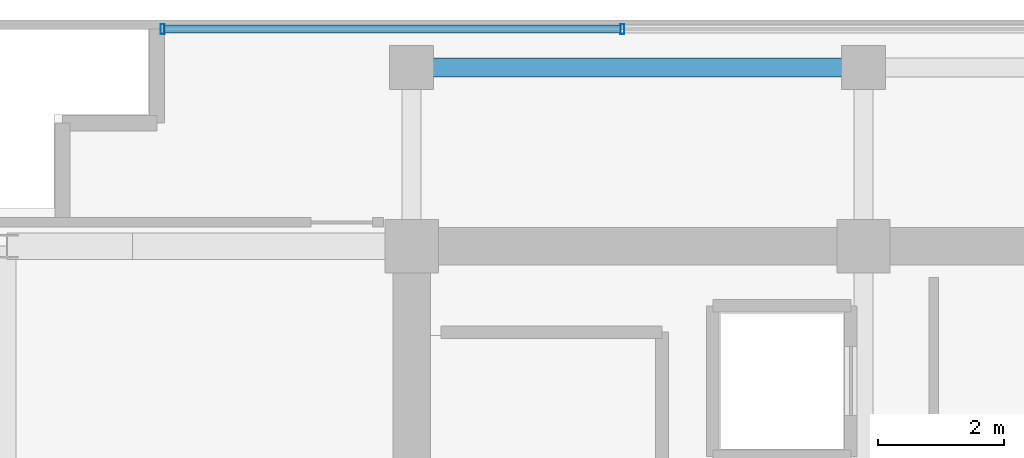
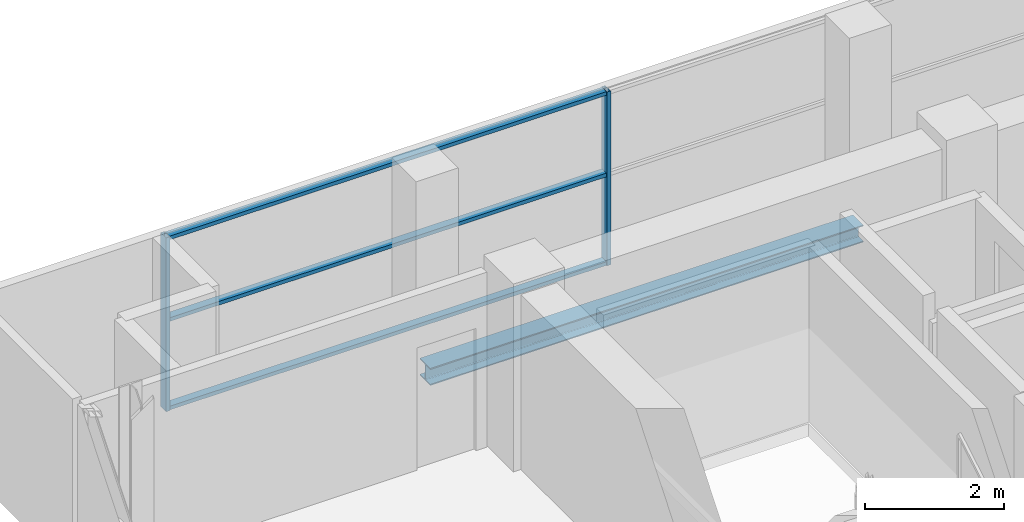
# One storey, part 17 of 29: 5 members, 1 beam, 1 element without a shape of its own.
"""IFC4 building model written with IfcOpenShell, lengths in metres."""

from ifc_helpers import new_model, si_unit, direction, frame, origin, origin_2d, place, context, subcontext, project, spatial, hollow_rectangle, i_section, extrude, source, transform, mapped, material, layer, layer_set, material_profile, profile_set, type_object, element, aggregate, save


model = new_model("IFC4")

# Units and contexts
model_context = context("Model", 3, precision=1e-05, world=origin(), true_north=direction((0.0, 1.0)))
body_context = subcontext(model_context, "Body", "Model", "MODEL_VIEW")
ifc_project = project(units=[si_unit("LENGTHUNIT", "METRE"), si_unit("AREAUNIT", "SQUARE_METRE"), si_unit("VOLUMEUNIT", "CUBIC_METRE"), si_unit("PLANEANGLEUNIT", "RADIAN"), si_unit("MASSUNIT", "GRAM", prefix="KILO")], contexts=[model_context])

# Site, building, storey
site_placement = place(None, origin())
site = spatial("IfcSite", under=ifc_project, at=site_placement, CompositionType="ELEMENT")
building_placement = place(site_placement, origin())
building = spatial("IfcBuilding", under=site, at=building_placement, Name="Zarnakvel Exchange Tower", CompositionType="ELEMENT")
storey_placement = place(building_placement, frame((0.0, 0.0, 258.39990234375)))
storey = spatial("IfcBuildingStorey", under=building, at=storey_placement, Name="L73", CompositionType="ELEMENT", Elevation=258.39990234375)

# Beam
ifc_material_1 = material(Name="Steel S355", Category="steel")
ifc_material_profile_1 = material_profile(ifc_material_1, i_section(OverallWidth=0.300048828125, OverallDepth=0.300048828125, WebThickness=0.010986328125, FlangeThickness=0.01904296875, FilletRadius=0.027099609375, at=origin_2d()))
ifc_profile_set_1 = profile_set([ifc_material_profile_1], Name="Steel S355")
beam_type = type_object("IfcBeamType", Name="SP-03", PredefinedType="SPANDREL", material=ifc_profile_set_1)
beam_placement = place(storey_placement, frame((-14.39990234375, 16.35009765625, -0.375), z_axis=(1.0, 0.0, 0.0), x_axis=(0.0, 1.0, 0.0)))
element("IfcBeam", 1, at=beam_placement, inside=storey, type_object=beam_type, Name="L73 Tower E-W Frame Beam", PredefinedType="SPANDREL", context=body_context, shape_type="SweptSolid", body=[
    extrude(i_section(OverallWidth=0.300048828125, OverallDepth=0.300048828125, WebThickness=0.010986328125, FlangeThickness=0.01904296875, FilletRadius=0.027099609375, at=origin_2d()), origin(), (0.0, 0.0, 1.0), 7.199951171875),
])

# Curtain wall, members
ifc_material_2 = material(Name="Architectural Bronze Anodised Aluminium", Category="aluminium")
ifc_layer = layer(ifc_material_2, 0.159912109375)
ifc_layer_set = layer_set([ifc_layer], Name="Architectural Bronze Anodised Aluminium")
curtain_wall_type = type_object("IfcCurtainWallType", Name="CW-06", PredefinedType="NOTDEFINED", material=ifc_layer_set)
curtain_wall_placement = place(storey_placement, origin())
curtain_wall = element("IfcCurtainWall", 2, at=curtain_wall_placement, inside=storey, type_object=curtain_wall_type, Name="L73 Curtain Wall CW-L73-N1 (CW-06)", PredefinedType="NOTDEFINED")
ifc_material_profile_2 = material_profile(ifc_material_2, hollow_rectangle(XDim=0.159912109375, YDim=0.06494140625, WallThickness=0.00390625, at=origin_2d()))
ifc_profile_set_2 = profile_set([ifc_material_profile_2], Name="Architectural Bronze Anodised Aluminium")
member_type_1 = type_object("IfcMemberType", Name="CWM-06", PredefinedType="MULLION", material=ifc_profile_set_2)
shared_shape_1 = source(origin(), body_context, "Body", "SweptSolid", [
    extrude(hollow_rectangle(XDim=0.159912109375, YDim=0.06494140625, WallThickness=0.00390625, at=origin_2d()), origin(), (0.0, 0.0, 1.0), 3.05517578125),
])
member_1_placement = place(storey_placement, frame((-18.367431640625, 16.9599609375, 0.0), z_axis=(0.0, 0.0, 1.0), x_axis=(0.0, 1.0, 0.0)))
member_1 = element("IfcMember", 3, at=member_1_placement, type_object=member_type_1, Name="CW-06 mullion 1", PredefinedType="MULLION", context=body_context, shape_type="MappedRepresentation", body=[
    mapped(shared_shape_1, transform((0.0, 0.0, 0.0), x_axis=(1.0, 0.0, 0.0), y_axis=(0.0, 1.0, 0.0), z_axis=(0.0, 0.0, 1.0), scale=1.0)),
])
member_2_placement = place(storey_placement, frame((-11.0400390625, 16.9599609375, 0.0), z_axis=(0.0, 0.0, 1.0), x_axis=(0.0, 1.0, 0.0)))
member_2 = element("IfcMember", 4, at=member_2_placement, type_object=member_type_1, Name="CW-06 mullion 2", PredefinedType="MULLION", context=body_context, shape_type="MappedRepresentation", body=[
    mapped(shared_shape_1, transform((0.0, 0.0, 0.0), x_axis=(1.0, 0.0, 0.0), y_axis=(0.0, 1.0, 0.0), z_axis=(0.0, 0.0, 1.0), scale=1.0)),
])
ifc_material_profile_3 = material_profile(ifc_material_2, hollow_rectangle(XDim=0.1298828125, YDim=0.06494140625, WallThickness=0.00390625, at=origin_2d()))
ifc_profile_set_3 = profile_set([ifc_material_profile_3], Name="Architectural Bronze Anodised Aluminium")
member_type_2 = type_object("IfcMemberType", Name="CWT-06", PredefinedType="USERDEFINED", material=ifc_profile_set_3)
shared_shape_2 = source(origin(), body_context, "Body", "SweptSolid", [
    extrude(hollow_rectangle(XDim=0.1298828125, YDim=0.06494140625, WallThickness=0.00390625, at=origin_2d()), origin(), (0.0, 0.0, 1.0), 7.262451171875),
])
member_3_placement = place(storey_placement, frame((-18.3349609375, 16.9599609375, 0.03271484375), z_axis=(1.0, 0.0, 0.0), x_axis=(0.0, 1.0, 0.0)))
member_3 = element("IfcMember", 5, at=member_3_placement, type_object=member_type_2, Name="CW-06 transom 1.1", ObjectType="TRANSOM", PredefinedType="USERDEFINED", context=body_context, shape_type="MappedRepresentation", body=[
    mapped(shared_shape_2, transform((0.0, 0.0, 0.0), x_axis=(1.0, 0.0, 0.0), y_axis=(0.0, 1.0, 0.0), z_axis=(0.0, 0.0, 1.0), scale=1.0)),
])
member_4_placement = place(storey_placement, frame((-18.3349609375, 16.9599609375, 1.588623046875), z_axis=(1.0, 0.0, 0.0), x_axis=(0.0, 1.0, 0.0)))
member_4 = element("IfcMember", 6, at=member_4_placement, type_object=member_type_2, Name="CW-06 transom 1.2", ObjectType="TRANSOM", PredefinedType="USERDEFINED", context=body_context, shape_type="MappedRepresentation", body=[
    mapped(shared_shape_2, transform((0.0, 0.0, 0.0), x_axis=(1.0, 0.0, 0.0), y_axis=(0.0, 1.0, 0.0), z_axis=(0.0, 0.0, 1.0), scale=1.0)),
])
member_5_placement = place(storey_placement, frame((-18.3349609375, 16.9599609375, 3.022705078125), z_axis=(1.0, 0.0, 0.0), x_axis=(0.0, 1.0, 0.0)))
member_5 = element("IfcMember", 7, at=member_5_placement, type_object=member_type_2, Name="CW-06 transom 1.3", ObjectType="TRANSOM", PredefinedType="USERDEFINED", context=body_context, shape_type="MappedRepresentation", body=[
    mapped(shared_shape_2, transform((0.0, 0.0, 0.0), x_axis=(1.0, 0.0, 0.0), y_axis=(0.0, 1.0, 0.0), z_axis=(0.0, 0.0, 1.0), scale=1.0)),
])
aggregate(curtain_wall, [member_1, member_2, member_3, member_4, member_5])

save(model, "model.ifc")
